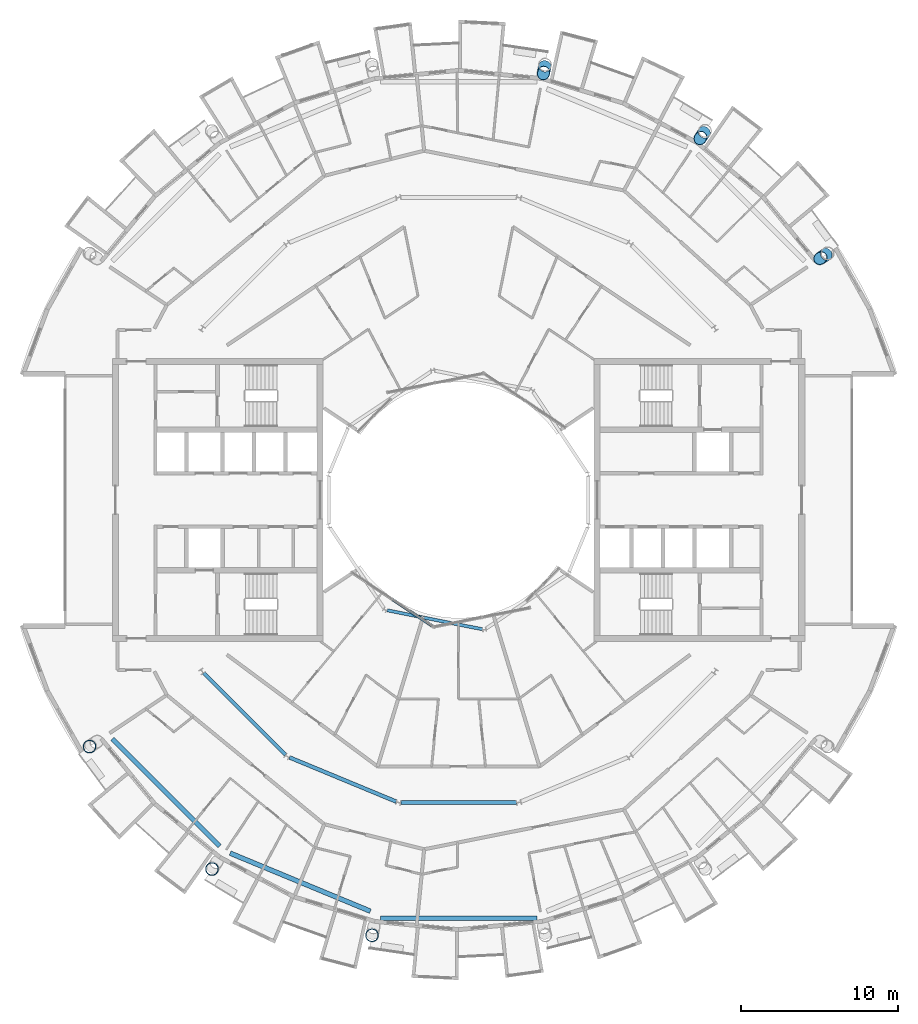
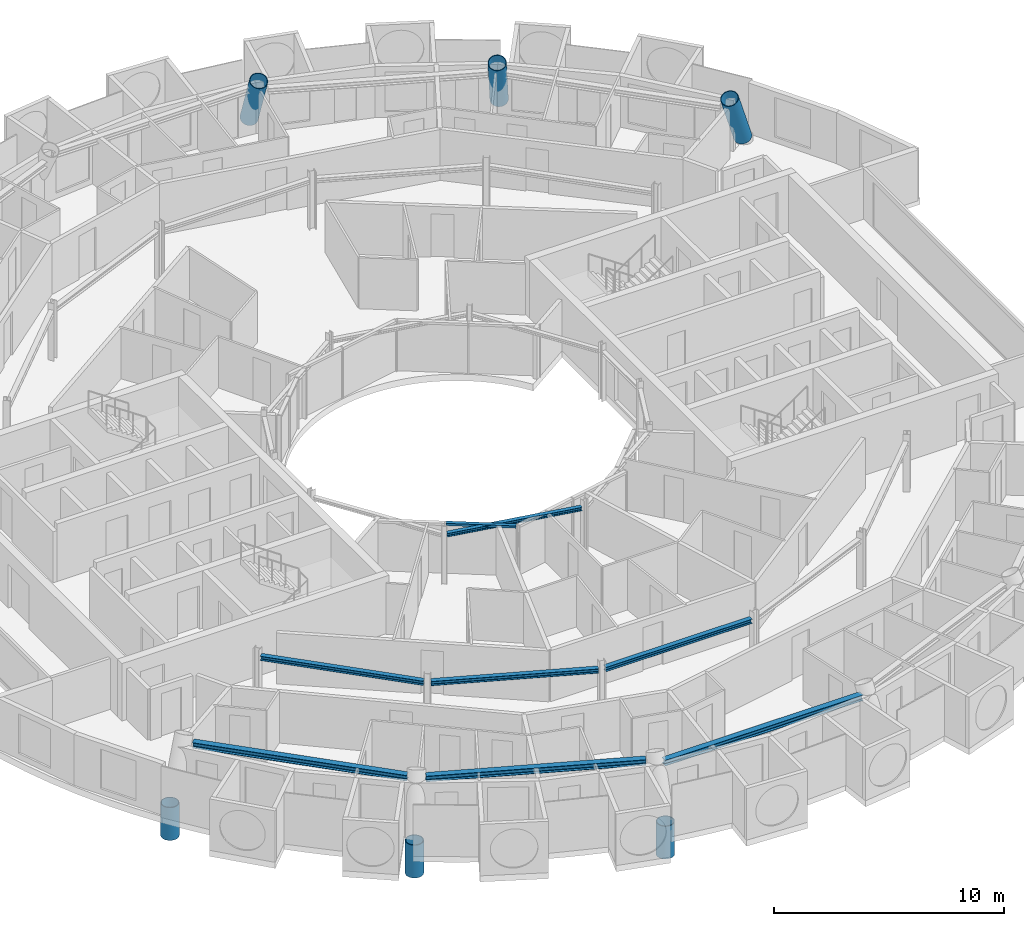
# One storey, part 6 of 28: 7 beams, 4 members, 3 columns, 1 element without a shape of its own.
"""IFC4 building model written with IfcOpenShell, lengths in metres."""

import ifcopenshell
import ifcopenshell.guid

model = None  # the IFC model being written
_history = None  # IfcOwnerHistory: only IFC2X3 demands one
_inside = {}  # id of a spatial element -> (the spatial element, [elements in it])
_under = {}  # id of a project, library or spatial element -> (it, [spatial elements below it])
_declared = {}  # id of a project -> (the project, [libraries it declares])
_typed = {}  # id of a type object -> (the type object, [elements of that type])
_made_of = {}  # id of a material, layer set ... -> (it, [elements and type objects made of it])


def new_model(schema):
    """Start an empty IFC model of exactly this schema.

    Asked for "IFC4X3", IfcOpenShell would pick the latest addendum, in which some entities
    have other attributes; the version numbers below select the first issue.
    IFC2X3 requires an IfcOwnerHistory on every rooted entity: one is made here for all.
    """
    global model, _history
    if schema == "IFC4X3":
        model = ifcopenshell.file(schema_version=(4, 3, 0, 0))
    else:
        model = ifcopenshell.file(schema=schema)
    _inside.clear()
    _under.clear()
    _declared.clear()
    _typed.clear()
    _made_of.clear()
    _history = None
    if model.schema == "IFC2X3":
        org = make("IfcOrganization", Name="unknown")
        user = make(
            "IfcPersonAndOrganization",
            ThePerson=make("IfcPerson", FamilyName="unknown"),
            TheOrganization=org,
        )
        app = make(
            "IfcApplication",
            ApplicationDeveloper=org,
            Version="unknown",
            ApplicationFullName="unknown",
            ApplicationIdentifier="unknown",
        )
        _history = make(
            "IfcOwnerHistory",
            OwningUser=user,
            OwningApplication=app,
            ChangeAction="ADDED",
            CreationDate=0,
        )
    return model


def make(cls, **values):
    """One entity of the class cls with the attributes given. An attribute that is None is left unset."""
    return model.create_entity(
        cls, **{name: value for name, value in values.items() if value is not None}
    )


def rooted(cls, **values):
    """An entity with a GlobalId (a new one), such as an element, a storey or a relation."""
    return make(cls, GlobalId=ifcopenshell.guid.new(), OwnerHistory=_history, **values)


def si_unit(unit_type, name, prefix=None):
    """IfcSIUnit, for example si_unit("LENGTHUNIT", "METRE", prefix="MILLI")."""
    return make("IfcSIUnit", UnitType=unit_type, Prefix=prefix, Name=name)


def assignment(units):
    """IfcUnitAssignment: the units of a project."""
    return None if units is None else make("IfcUnitAssignment", Units=units)


def point(xyz):
    """IfcCartesianPoint."""
    return None if xyz is None else make("IfcCartesianPoint", Coordinates=xyz)


def direction(xyz):
    """IfcDirection."""
    return None if xyz is None else make("IfcDirection", DirectionRatios=xyz)


def frame(location, z_axis=None, x_axis=None):
    """IfcAxis2Placement3D, a coordinate frame: its origin and axes. An axis left out is left unset."""
    return make(
        "IfcAxis2Placement3D",
        Location=point(location),
        Axis=direction(z_axis),
        RefDirection=direction(x_axis),
    )


def frame_2d(location, x_axis=None):
    """IfcAxis2Placement2D, a coordinate frame in the plane: its origin and x axis."""
    return make(
        "IfcAxis2Placement2D", Location=point(location), RefDirection=direction(x_axis)
    )


def origin():
    """The frame at (0, 0, 0) with its axes left unset."""
    return frame((0.0, 0.0, 0.0))


def origin_2d():
    """The frame at (0, 0) in the plane with its x axis left unset."""
    return frame_2d((0.0, 0.0))


def place(relative_to, where):
    """IfcLocalPlacement: puts the frame where relative to a parent placement (None: the world)."""
    return make(
        "IfcLocalPlacement", PlacementRelTo=relative_to, RelativePlacement=where
    )


def context(
    kind, dimensions, precision=None, world=None, true_north=None, identifier=None
):
    """IfcGeometricRepresentationContext, for example the 3D "Model" context."""
    return make(
        "IfcGeometricRepresentationContext",
        ContextIdentifier=identifier,
        ContextType=kind,
        CoordinateSpaceDimension=dimensions,
        Precision=precision,
        WorldCoordinateSystem=world,
        TrueNorth=true_north,
    )


def subcontext(parent, identifier, kind, view, scale=None):
    """IfcGeometricRepresentationSubContext, for example "Body" below "Model"."""
    return make(
        "IfcGeometricRepresentationSubContext",
        ContextIdentifier=identifier,
        ContextType=kind,
        ParentContext=parent,
        TargetScale=scale,
        TargetView=view,
    )


def project(units=None, contexts=None):
    """IfcProject with its units and contexts."""
    return rooted(
        "IfcProject",
        Name="project",
        RepresentationContexts=contexts,
        UnitsInContext=assignment(units),
    )


def spatial(cls, under=None, at=None, **own):
    """A site, building, storey or space (cls), placed at a placement, below another one or the project."""
    s = rooted(cls, ObjectPlacement=at, **own)
    if under is not None:
        _under.setdefault(under.id(), (under, []))[1].append(s)
    return s


def profile(cls, at=None, kind="AREA", **sizes):
    """A parametric profile (cls). Its sizes go by their IFC names, for example OverallWidth=200.0."""
    return make(cls, ProfileType=kind, Position=at, **sizes)


def rectangle(**sizes):
    """IfcRectangleProfileDef."""
    return profile("IfcRectangleProfileDef", **sizes)


def hollow_circle(**sizes):
    """IfcCircleHollowProfileDef."""
    return profile("IfcCircleHollowProfileDef", **sizes)


def i_section(**sizes):
    """IfcIShapeProfileDef."""
    return profile("IfcIShapeProfileDef", **sizes)


def extrude(swept, where, along, depth):
    """IfcExtrudedAreaSolid: the profile swept, set in the frame where, extruded along a direction by depth."""
    return make(
        "IfcExtrudedAreaSolid",
        SweptArea=swept,
        Position=where,
        ExtrudedDirection=direction(along),
        Depth=depth,
    )


def shape(context_of_items, identifier, shape_type, items):
    """IfcShapeRepresentation: the items that make up one representation, for example the "Body"."""
    return make(
        "IfcShapeRepresentation",
        ContextOfItems=context_of_items,
        RepresentationIdentifier=identifier,
        RepresentationType=shape_type,
        Items=items,
    )


def material(Name=None, Category=None):
    """IfcMaterial."""
    return make("IfcMaterial", Name=Name, Category=Category)


def layer(
    of_material, thickness, ventilated=None, Name=None, Category=None, Priority=None
):
    """IfcMaterialLayer: one layer of a wall or slab, of a material (None: an air gap)."""
    return make(
        "IfcMaterialLayer",
        Material=of_material,
        LayerThickness=thickness,
        IsVentilated=ventilated,
        Name=Name,
        Category=Category,
        Priority=Priority,
    )


def layer_set(layers, Name=None):
    """IfcMaterialLayerSet."""
    return make("IfcMaterialLayerSet", MaterialLayers=layers, LayerSetName=Name)


def material_profile(
    of_material, cross_section, Name=None, Category=None, Priority=None
):
    """IfcMaterialProfile: a cross section and its material."""
    return make(
        "IfcMaterialProfile",
        Name=Name,
        Material=of_material,
        Profile=cross_section,
        Priority=Priority,
        Category=Category,
    )


def profile_set(profiles, Name=None, composite=None):
    """IfcMaterialProfileSet."""
    return make(
        "IfcMaterialProfileSet",
        Name=Name,
        MaterialProfiles=profiles,
        CompositeProfile=composite,
    )


def made_of(thing, what):
    """Note that an element or type object is made of a material, layer set ...; save() writes the relation."""
    if what is not None:
        _made_of.setdefault(what.id(), (what, []))[1].append(thing)
    return thing


def type_object(cls, material=None, **own):
    """A type object (cls), such as IfcWallType, which elements share."""
    return made_of(rooted(cls, **own), material)


def element(
    cls,
    number,
    at=None,
    inside=None,
    cuts=None,
    type_object=None,
    material=None,
    context=None,
    identifier="Body",
    shape_type=None,
    held_by="IfcProductDefinitionShape",
    body=None,
    shapes=None,
    **own,
):
    """One element of the class cls, such as IfcWall. Its Tag is "e" and its number.

    at: its placement. inside: the storey or other place that contains it. cuts: it is an
    opening in that element (IfcRelVoidsElement). A single representation is given by context,
    identifier, shape_type and body (its items); several are given by shapes. held_by: the class
    of the entity that holds the representations. save() writes the other relations.
    """
    e = rooted(cls, Tag="e%d" % number, ObjectPlacement=at, **own)
    if body is not None:
        shapes = [shape(context, identifier, shape_type, body)]
    if shapes is not None:
        e.Representation = make(held_by, Representations=shapes)
    if inside is not None:
        _inside.setdefault(inside.id(), (inside, []))[1].append(e)
    if cuts is not None:
        rooted(
            "IfcRelVoidsElement", RelatingBuildingElement=cuts, RelatedOpeningElement=e
        )
    if type_object is not None:
        _typed.setdefault(type_object.id(), (type_object, []))[1].append(e)
    return made_of(e, material)


def aggregate(whole, parts):
    """IfcRelAggregates: a whole, such as a stair, and the parts it consists of."""
    return rooted("IfcRelAggregates", RelatingObject=whole, RelatedObjects=parts)


def save(model, path):
    """Write the relations noted so far, then the file.

    IfcRelAggregates (storeys below a building ...), IfcRelContainedInSpatialStructure (elements
    in a storey), IfcRelDefinesByType, IfcRelAssociatesMaterial and IfcRelDeclares: one each for
    every whole, place, type object, material and project.
    """
    for whole, parts in _under.values():
        aggregate(whole, parts)
    for where, things in _inside.values():
        rooted(
            "IfcRelContainedInSpatialStructure",
            RelatedElements=things,
            RelatingStructure=where,
        )
    for kind, things in _typed.values():
        rooted("IfcRelDefinesByType", RelatedObjects=things, RelatingType=kind)
    for what, things in _made_of.values():
        rooted("IfcRelAssociatesMaterial", RelatedObjects=things, RelatingMaterial=what)
    for by, libraries in _declared.values():
        rooted("IfcRelDeclares", RelatingContext=by, RelatedDefinitions=libraries)
    model.write(path)


model = new_model("IFC4")

# Units and contexts
model_context = context("Model", 3, precision=1e-05, world=origin(), true_north=direction((0.0, 1.0)))
body_context = subcontext(model_context, "Body", "Model", "MODEL_VIEW")
ifc_project = project(units=[si_unit("LENGTHUNIT", "METRE"), si_unit("AREAUNIT", "SQUARE_METRE"), si_unit("VOLUMEUNIT", "CUBIC_METRE"), si_unit("PLANEANGLEUNIT", "RADIAN"), si_unit("MASSUNIT", "GRAM", prefix="KILO")], contexts=[model_context])

# Site, building, storey
site_placement = place(None, origin())
site = spatial("IfcSite", under=ifc_project, at=site_placement, CompositionType="ELEMENT")
building_placement = place(site_placement, origin())
building = spatial("IfcBuilding", under=site, at=building_placement, Name="Maasbend Ring Residences", CompositionType="ELEMENT")
storey_placement = place(building_placement, frame((0.0, 0.0, 231.0)))
storey = spatial("IfcBuildingStorey", under=building, at=storey_placement, Name="L66", CompositionType="ELEMENT", Elevation=231.0)

# Columns
ifc_material_1 = material(Name="Composite concrete-filled steel tube S460NH / C80/95", Category="concrete")
ifc_material_profile_1 = material_profile(ifc_material_1, hollow_circle(Radius=0.406494140625, WallThickness=0.030029296875, at=origin_2d()), Name="Composite tube column CHS 813x30")
ifc_profile_set_1 = profile_set([ifc_material_profile_1], Name="Composite concrete-filled steel tube S460NH / C80/95")
column_type = type_object("IfcColumnType", Name="Composite tube column CHS 813x30", PredefinedType="COLUMN", material=ifc_profile_set_1)
for number, where, z_axis, x_axis, name in (
    (1, (23.35498046875, 15.60546875, 0.24169921875), (-0.34678068763, -0.231740204333, 0.908867224837), (0.555617898073, -0.831437761556, 0.0), "Outer column R2"),
    (2, (15.60546875, 23.35498046875, 0.24169921875), (-0.231740204333, -0.34678068763, 0.908867224837), (0.831437761556, -0.555617898073, 0.0), "Outer column R3"),
):
    element("IfcColumn", number, at=place(storey_placement, frame(where, z_axis=z_axis, x_axis=x_axis)), inside=storey, type_object=column_type, Name=name, PredefinedType="COLUMN", context=body_context, shape_type="SweptSolid", body=[
        extrude(hollow_circle(Radius=0.406494140625, WallThickness=0.030029296875, at=origin_2d()), origin(), (0.0, 0.0, 1.0), 3.08984375),
    ])
column_placement = place(storey_placement, frame((5.479736328125, 27.54931640625, 0.24169921875), z_axis=(-0.081298824586, -0.40918038147, 0.908824469598), x_axis=(0.9808275518, -0.194877688898, 0.0)))
element("IfcColumn", 3, at=column_placement, inside=storey, type_object=column_type, Name="Outer column R4", PredefinedType="COLUMN", context=body_context, shape_type="SweptSolid", body=[
    extrude(hollow_circle(Radius=0.406494140625, WallThickness=0.030029296875, at=origin_2d()), origin(), (0.0, 0.0, 1.0), 3.090087890625),
])

# Curtain wall, member
ifc_material_2 = material(Name="Aluminium and clear glass", Category="aluminium")
ifc_layer = layer(ifc_material_2, 0.179931640625)
ifc_layer_set = layer_set([ifc_layer], Name="CW-W")
curtain_wall_type = type_object("IfcCurtainWallType", Name="CW-W", PredefinedType="NOTDEFINED", material=ifc_layer_set)
curtain_wall_placement = place(storey_placement, origin())
curtain_wall = element("IfcCurtainWall", 4, at=curtain_wall_placement, inside=storey, type_object=curtain_wall_type, Name="Well curtain wall S1", PredefinedType="NOTDEFINED")
ifc_material_3 = material(Name="Aluminium 6063-T6", Category="aluminium")
ifc_material_profile_2 = material_profile(ifc_material_3, rectangle(XDim=0.179931640625, YDim=0.1201171875, at=origin_2d()), Name="AL 180x120")
ifc_profile_set_2 = profile_set([ifc_material_profile_2], Name="Aluminium 6063-T6")
member_type_1 = type_object("IfcMemberType", Name="CWT-W", PredefinedType="USERDEFINED", material=ifc_profile_set_2)
member_placement = place(storey_placement, frame((-4.19189453125, -6.32763671875, 2.639892578125), z_axis=(0.831496422459, -0.555530106689, 0.0), x_axis=(0.555530106689, 0.831496422459, 0.0)))
member = element("IfcMember", 5, at=member_placement, type_object=member_type_1, Name="Transom well face", ObjectType="TRANSOM", PredefinedType="USERDEFINED", context=body_context, shape_type="SweptSolid", body=[
    extrude(rectangle(XDim=0.179931640625, YDim=0.1201171875, at=origin_2d()), origin(), (0.0, 0.0, 1.0), 3.053955078125),
])
aggregate(curtain_wall, [member])

# Members
ifc_material_4 = material(Name="Steel S460NH", Category="steel")
ifc_material_profile_3 = material_profile(ifc_material_4, hollow_circle(Radius=0.406494140625, WallThickness=0.030029296875, at=origin_2d()), Name="Column node insert CHS 813x30")
ifc_profile_set_3 = profile_set([ifc_material_profile_3], Name="Steel S460NH")
member_type_2 = type_object("IfcMemberType", Name="Column node insert CHS 813x30", PredefinedType="POST", material=ifc_profile_set_3)
for number, where, z_axis, x_axis, name in (
    (6, (-23.447509765625, -15.6669921875, -1.5), (0.0, 0.0, 1.0), (1.0, 0.0, 0.0), "Column node insert R10"),
    (7, (-15.6669921875, -23.447509765625, -1.5), (0.0, 0.0, 1.0), (1.0, 0.0, 0.0), "Column node insert R11"),
    (8, (-5.50146484375, -27.658203125, -1.5), (0.0, 0.0, 1.0), (1.0, 0.0, 0.0), "Column node insert R12"),
):
    element("IfcMember", number, at=place(storey_placement, frame(where, z_axis=z_axis, x_axis=x_axis)), inside=storey, type_object=member_type_2, Name=name, PredefinedType="POST", context=body_context, shape_type="SweptSolid", body=[
        extrude(hollow_circle(Radius=0.406494140625, WallThickness=0.030029296875, at=origin_2d()), origin(), (0.0, 0.0, 1.0), 1.74169921875),
    ])

# Beams
ifc_material_5 = material(Name="Steel S355J2", Category="steel")
ifc_material_profile_4 = material_profile(ifc_material_5, i_section(OverallWidth=0.239990234375, OverallDepth=0.22998046875, WebThickness=0.007568359375, FlangeThickness=0.011962890625, FilletRadius=0.02099609375, at=origin_2d()), Name="HEA 240")
ifc_profile_set_4 = profile_set([ifc_material_profile_4], Name="Steel S355J2")
beam_type_1 = type_object("IfcBeamType", Name="Corridor ring beam HEA 240", PredefinedType="BEAM", material=ifc_profile_set_4)
beam_1_placement = place(storey_placement, frame((-16.188720703125, -10.997314453125, 2.5849609375), z_axis=(0.707106781187, -0.707106781187, 0.0), x_axis=(0.707106781187, 0.707106781187, 0.0)))
element("IfcBeam", 9, at=beam_1_placement, inside=storey, type_object=beam_type_1, Name="Corridor ring beam", PredefinedType="BEAM", context=body_context, shape_type="SweptSolid", body=[
    extrude(i_section(OverallWidth=0.239990234375, OverallDepth=0.22998046875, WebThickness=0.007568359375, FlangeThickness=0.011962890625, FilletRadius=0.02099609375, at=origin_2d()), origin(), (0.0, 0.0, 1.0), 7.341796875),
])
beam_2_placement = place(storey_placement, frame((-10.747802734375, -16.355224609375, 2.5849609375), z_axis=(0.923875784142, -0.382692481603, 0.0), x_axis=(0.382692481603, 0.923875784142, 0.0)))
element("IfcBeam", 10, at=beam_2_placement, inside=storey, type_object=beam_type_1, Name="Corridor ring beam", PredefinedType="BEAM", context=body_context, shape_type="SweptSolid", body=[
    extrude(i_section(OverallWidth=0.239990234375, OverallDepth=0.22998046875, WebThickness=0.007568359375, FlangeThickness=0.011962890625, FilletRadius=0.02099609375, at=origin_2d()), origin(), (0.0, 0.0, 1.0), 7.341552734375),
])
beam_3_placement = place(storey_placement, frame((-3.6708984375, -19.223388671875, 2.5849609375), z_axis=(1.0, 0.0, 0.0), x_axis=(0.0, 1.0, 0.0)))
element("IfcBeam", 11, at=beam_3_placement, inside=storey, type_object=beam_type_1, Name="Corridor ring beam", PredefinedType="BEAM", context=body_context, shape_type="SweptSolid", body=[
    extrude(i_section(OverallWidth=0.239990234375, OverallDepth=0.22998046875, WebThickness=0.007568359375, FlangeThickness=0.011962890625, FilletRadius=0.02099609375, at=origin_2d()), origin(), (0.0, 0.0, 1.0), 7.341796875),
])
ifc_material_6 = material(Name="Steel S355J2", Category="steel")
ifc_material_profile_5 = material_profile(ifc_material_6, i_section(OverallWidth=0.300048828125, OverallDepth=0.300048828125, WebThickness=0.010986328125, FlangeThickness=0.01904296875, FilletRadius=0.027099609375, at=origin_2d()), Name="HEB 300")
ifc_profile_set_5 = profile_set([ifc_material_profile_5], Name="Steel S355J2")
beam_type_2 = type_object("IfcBeamType", Name="Spandrel ring beam HEB 300", PredefinedType="SPANDREL", material=ifc_profile_set_5)
beam_4_placement = place(storey_placement, frame((-21.99609375, -15.1767578125, 2.550048828125), z_axis=(0.707106781187, -0.707106781187, 0.0), x_axis=(0.707106781187, 0.707106781187, 0.0)))
element("IfcBeam", 12, at=beam_4_placement, inside=storey, type_object=beam_type_2, Name="Spandrel ring beam", PredefinedType="SPANDREL", context=body_context, shape_type="SweptSolid", body=[
    extrude(i_section(OverallWidth=0.300048828125, OverallDepth=0.300048828125, WebThickness=0.010986328125, FlangeThickness=0.01904296875, FilletRadius=0.027099609375, at=origin_2d()), origin(), (0.0, 0.0, 1.0), 9.64404296875),
])
beam_5_placement = place(storey_placement, frame((-14.513671875, -22.43896484375, 2.550048828125), z_axis=(0.92388230488, -0.382676739206, 0.0), x_axis=(0.382676739206, 0.92388230488, 0.0)))
element("IfcBeam", 13, at=beam_5_placement, inside=storey, type_object=beam_type_2, Name="Spandrel ring beam", PredefinedType="SPANDREL", context=body_context, shape_type="SweptSolid", body=[
    extrude(i_section(OverallWidth=0.300048828125, OverallDepth=0.300048828125, WebThickness=0.010986328125, FlangeThickness=0.01904296875, FilletRadius=0.027099609375, at=origin_2d()), origin(), (0.0, 0.0, 1.0), 9.643798828125),
])
beam_6_placement = place(storey_placement, frame((-4.971923828125, -26.5849609375, 2.550048828125), z_axis=(1.0, 0.0, 0.0), x_axis=(0.0, 1.0, 0.0)))
element("IfcBeam", 14, at=beam_6_placement, inside=storey, type_object=beam_type_2, Name="Spandrel ring beam", PredefinedType="SPANDREL", context=body_context, shape_type="SweptSolid", body=[
    extrude(i_section(OverallWidth=0.300048828125, OverallDepth=0.300048828125, WebThickness=0.010986328125, FlangeThickness=0.01904296875, FilletRadius=0.027099609375, at=origin_2d()), origin(), (0.0, 0.0, 1.0), 9.94384765625),
])
ifc_material_7 = material(Name="Steel S355J2", Category="steel")
ifc_material_profile_6 = material_profile(ifc_material_7, i_section(OverallWidth=0.199951171875, OverallDepth=0.18994140625, WebThickness=0.006591796875, FlangeThickness=0.010009765625, FilletRadius=0.01806640625, at=origin_2d()), Name="HEA 200")
ifc_profile_set_6 = profile_set([ifc_material_profile_6], Name="Steel S355J2")
beam_type_3 = type_object("IfcBeamType", Name="Well edge beam HEA 200", PredefinedType="BEAM", material=ifc_profile_set_6)
beam_7_placement = place(storey_placement, frame((-4.544677734375, -7.008544921875, 2.60498046875), z_axis=(0.98078072474, -0.195113223486, 0.0), x_axis=(0.195113223486, 0.98078072474, 0.0)))
element("IfcBeam", 15, at=beam_7_placement, inside=storey, type_object=beam_type_3, Name="Well edge beam", PredefinedType="BEAM", context=body_context, shape_type="SweptSolid", body=[
    extrude(i_section(OverallWidth=0.199951171875, OverallDepth=0.18994140625, WebThickness=0.006591796875, FlangeThickness=0.010009765625, FilletRadius=0.01806640625, at=origin_2d()), origin(), (0.0, 0.0, 1.0), 6.18017578125),
])

save(model, "model.ifc")
